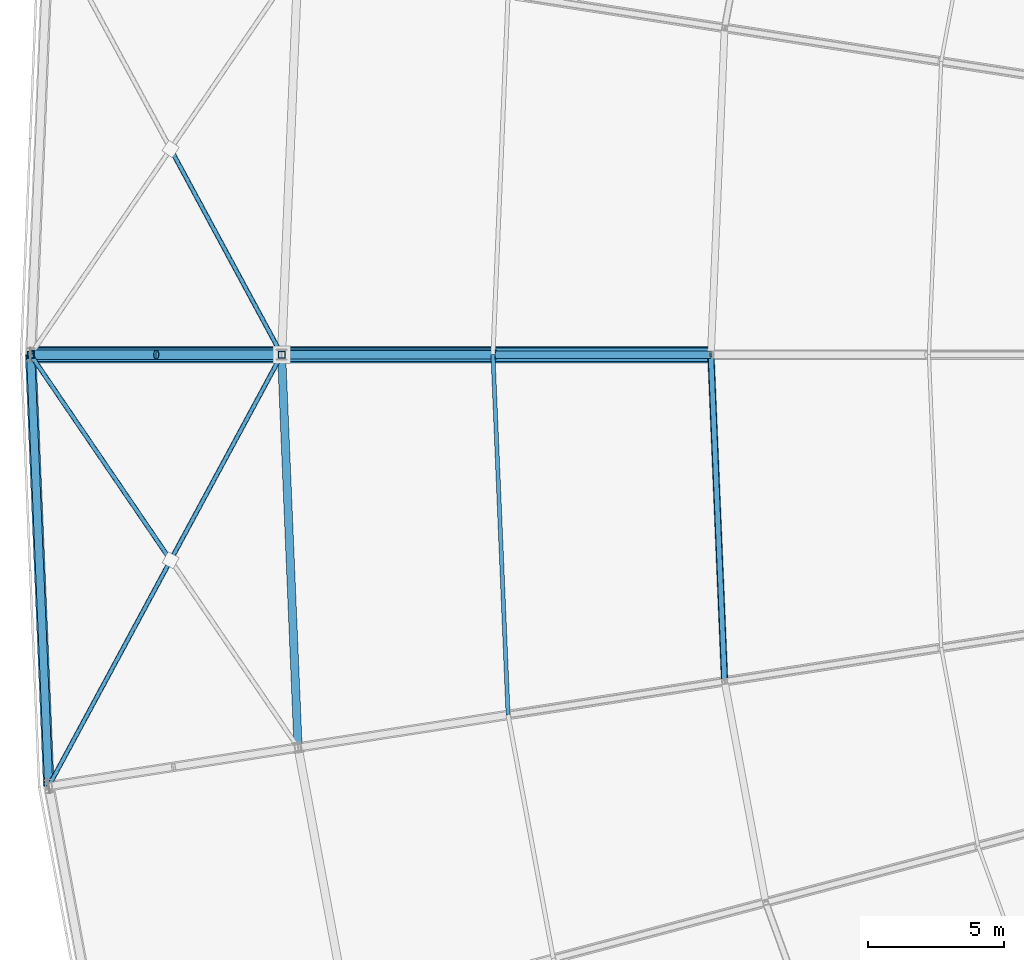
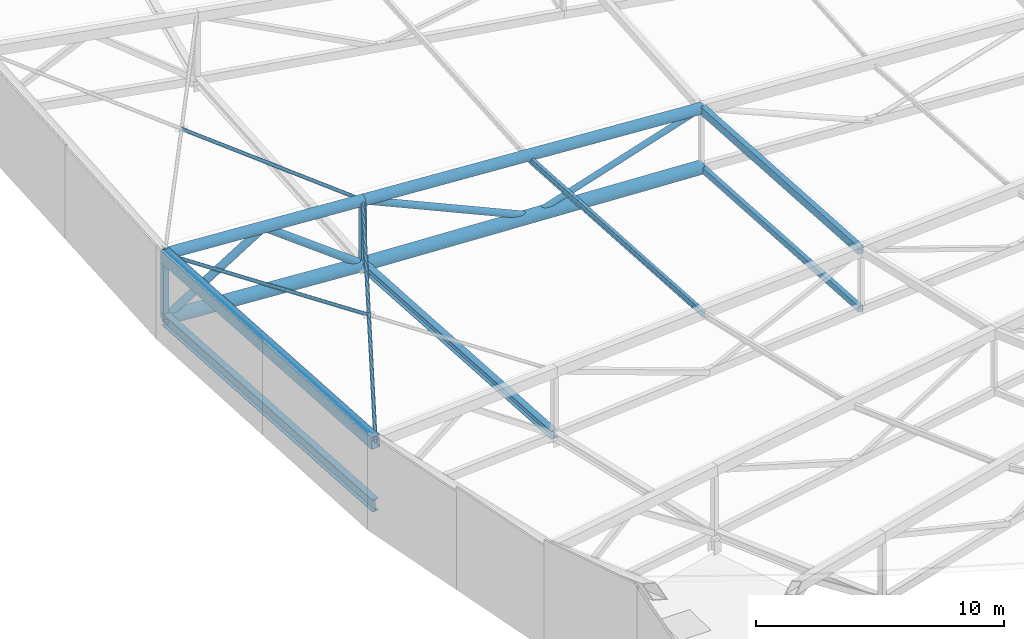
# One storey, part 39 of 143: 11 members, 8 beams.
"""IFC4 building model written with IfcOpenShell, lengths in metres."""

from ifc_helpers import new_model, si_unit, direction, frame, origin, origin_2d, place, context, subcontext, project, spatial, hollow_rectangle, hollow_circle, i_section, extrude, material, material_profile, profile_set, type_object, element, save


model = new_model("IFC4")

# Units and contexts
model_context = context("Model", 3, precision=1e-05, world=origin(), true_north=direction((0.0, 1.0)))
body_context = subcontext(model_context, "Body", "Model", "MODEL_VIEW")
ifc_project = project(units=[si_unit("LENGTHUNIT", "METRE"), si_unit("AREAUNIT", "SQUARE_METRE"), si_unit("VOLUMEUNIT", "CUBIC_METRE"), si_unit("PLANEANGLEUNIT", "RADIAN"), si_unit("MASSUNIT", "GRAM", prefix="KILO")], contexts=[model_context])

# Site, building, storey
site_placement = place(None, origin())
site = spatial("IfcSite", under=ifc_project, at=site_placement, CompositionType="ELEMENT")
building_placement = place(site_placement, origin())
building = spatial("IfcBuilding", under=site, at=building_placement, Name="Mphavela Belvedere Stadium", CompositionType="ELEMENT")
storey_placement = place(building_placement, frame((0.0, 0.0, 28.800048828125)))
storey = spatial("IfcBuildingStorey", under=building, at=storey_placement, Name="RF", CompositionType="ELEMENT", Elevation=28.800048828125)

# Beams
ifc_material_1 = material(Name="Steel S355", Category="steel")
ifc_material_profile_1 = material_profile(ifc_material_1, hollow_rectangle(XDim=0.25, YDim=0.39990234375, WallThickness=0.01611328125, at=origin_2d()), Name="RHS 400x250x16")
ifc_profile_set_1 = profile_set([ifc_material_profile_1], Name="Steel S355")
beam_type_1 = type_object("IfcBeamType", Name="BM-RING-MID", PredefinedType="BEAM", material=ifc_profile_set_1)
beam_1_placement = place(storey_placement, frame((37.157470703125, 87.0, 2.490234375), z_axis=(0.041906581182, -0.999068348561, 0.010308896972), x_axis=(0.999121439966, 0.041908808136, 0.0)))
element("IfcBeam", 1, at=beam_1_placement, inside=storey, type_object=beam_type_1, Name="Intermediate roof ring beam RB-MID-25", PredefinedType="BEAM", context=body_context, shape_type="SweptSolid", body=[
    extrude(hollow_rectangle(XDim=0.25, YDim=0.39990234375, WallThickness=0.01611328125, at=origin_2d()), origin(), (0.0, 0.0, 1.0), 12.007080078125),
])
ifc_material_2 = material(Name="Steel S355", Category="steel")
ifc_material_profile_2 = material_profile(ifc_material_2, hollow_rectangle(XDim=0.39990234375, YDim=0.60009765625, WallThickness=0.02001953125, at=origin_2d()), Name="RHS 600x400x20")
ifc_profile_set_2 = profile_set([ifc_material_profile_2], Name="Steel S355")
beam_type_2 = type_object("IfcBeamType", Name="BM-RING-OUT", PredefinedType="BEAM", material=ifc_profile_set_2)
beam_2_placement = place(storey_placement, frame((12.179931640625, 87.0, 4.005859375), z_axis=(0.04190173434, -0.999068501255, 0.010313799415), x_axis=(0.999121643181, 0.041903963155, 0.0)))
element("IfcBeam", 2, at=beam_2_placement, inside=storey, type_object=beam_type_2, Name="Perimeter compression ring beam RB-OUT-25", PredefinedType="BEAM", context=body_context, shape_type="SweptSolid", body=[
    extrude(hollow_rectangle(XDim=0.39990234375, YDim=0.60009765625, WallThickness=0.02001953125, at=origin_2d()), origin(), (0.0, 0.0, 1.0), 15.85986328125),
])
ifc_material_3 = material(Name="Steel S355", Category="steel")
ifc_material_profile_3 = material_profile(ifc_material_3, i_section(OverallWidth=0.300048828125, OverallDepth=0.39990234375, WebThickness=0.013427734375, FlangeThickness=0.02392578125, at=origin_2d()), Name="HEB 400")
ifc_profile_set_3 = profile_set([ifc_material_profile_3], Name="Steel S355")
beam_type_3 = type_object("IfcBeamType", Name="BM-STEEL-HEB400", PredefinedType="BEAM", material=ifc_profile_set_3)
beam_3_placement = place(storey_placement, frame((21.39501953125, 87.0, 0.33154296875), z_axis=(0.041901221603, -0.999068513802, 0.010314667142), x_axis=(0.99912166467, 0.041903450766, 0.0)))
element("IfcBeam", 3, at=beam_3_placement, inside=storey, type_object=beam_type_3, Name="Roof bottom-chord tie girder R3-25", PredefinedType="BEAM", context=body_context, shape_type="SweptSolid", body=[
    extrude(i_section(OverallWidth=0.300048828125, OverallDepth=0.39990234375, WebThickness=0.013427734375, FlangeThickness=0.02392578125, at=origin_2d()), origin(), (0.0, 0.0, 1.0), 14.438232421875),
])
ifc_material_4 = material(Name="Steel S355", Category="steel")
ifc_material_profile_4 = material_profile(ifc_material_4, i_section(OverallWidth=0.300048828125, OverallDepth=0.60009765625, WebThickness=0.015380859375, FlangeThickness=0.030029296875, at=origin_2d()), Name="HEB 600")
ifc_profile_set_4 = profile_set([ifc_material_profile_4], Name="Steel S355")
beam_type_4 = type_object("IfcBeamType", Name="BM-STEEL-HEB600", PredefinedType="BEAM", material=ifc_profile_set_4)
beam_4_placement = place(storey_placement, frame((12.179931640625, 87.0, 0.910888671875), z_axis=(0.04190173434, -0.999068501255, 0.010313799415), x_axis=(0.999121643181, 0.041903963155, 0.0)))
element("IfcBeam", 4, at=beam_4_placement, inside=storey, type_object=beam_type_4, Name="Roof bottom-chord tie girder R4-25", PredefinedType="BEAM", context=body_context, shape_type="SweptSolid", body=[
    extrude(i_section(OverallWidth=0.300048828125, OverallDepth=0.60009765625, WebThickness=0.015380859375, FlangeThickness=0.030029296875, at=origin_2d()), origin(), (0.0, 0.0, 1.0), 15.85986328125),
])
ifc_material_5 = material(Name="Steel S355", Category="steel")
ifc_material_profile_5 = material_profile(ifc_material_5, hollow_circle(Radius=0.304931640625, WallThickness=0.02490234375, at=origin_2d()), Name="CHS 610x25")
ifc_profile_set_5 = profile_set([ifc_material_profile_5], Name="Steel S355")
beam_type_5 = type_object("IfcBeamType", Name="BM-TRUSS-BC1", PredefinedType="BEAM", material=ifc_profile_set_5)
beam_5_placement = place(storey_placement, frame((12.179931640625, 87.0, 0.910888671875), z_axis=(0.998029567682, 0.0, -0.062745374596), x_axis=(0.0, 1.0, 0.0)))
element("IfcBeam", 5, at=beam_5_placement, inside=storey, type_object=beam_type_5, Name="Radial roof truss RT-25 bottom chord 1", PredefinedType="BEAM", context=body_context, shape_type="SweptSolid", body=[
    extrude(hollow_circle(Radius=0.304931640625, WallThickness=0.02490234375, at=origin_2d()), origin(), (0.0, 0.0, 1.0), 9.2333984375),
])
beam_6_placement = place(storey_placement, frame((21.39501953125, 87.0, 0.33154296875), z_axis=(0.998896209592, 0.0, -0.046971932722), x_axis=(0.0, 1.0, 0.0)))
element("IfcBeam", 6, at=beam_6_placement, inside=storey, type_object=beam_type_5, Name="Radial roof truss RT-25 bottom chord 2", PredefinedType="BEAM", context=body_context, shape_type="SweptSolid", body=[
    extrude(hollow_circle(Radius=0.304931640625, WallThickness=0.02490234375, at=origin_2d()), origin(), (0.0, 0.0, 1.0), 15.77978515625),
])
ifc_material_6 = material(Name="Steel S355", Category="steel")
ifc_material_profile_6 = material_profile(ifc_material_6, hollow_circle(Radius=0.25390625, WallThickness=0.02490234375, at=origin_2d()), Name="CHS 508x25")
ifc_profile_set_6 = profile_set([ifc_material_profile_6], Name="Steel S355")
beam_type_6 = type_object("IfcBeamType", Name="BM-TRUSS-TC1", PredefinedType="BEAM", material=ifc_profile_set_6)
beam_7_placement = place(storey_placement, frame((12.179931640625, 87.0, 4.06103515625), z_axis=(0.998027911532, 0.0, -0.062771711802), x_axis=(0.0, 1.0, 0.0)))
element("IfcBeam", 7, at=beam_7_placement, inside=storey, type_object=beam_type_6, Name="Radial roof truss RT-25 top chord 1", PredefinedType="BEAM", context=body_context, shape_type="SweptSolid", body=[
    extrude(hollow_circle(Radius=0.25390625, WallThickness=0.02490234375, at=origin_2d()), origin(), (0.0, 0.0, 1.0), 9.2333984375),
])
beam_8_placement = place(storey_placement, frame((21.39501953125, 87.0, 3.4814453125), z_axis=(0.998028626324, 0.0, -0.062760346063), x_axis=(0.0, 1.0, 0.0)))
element("IfcBeam", 8, at=beam_8_placement, inside=storey, type_object=beam_type_6, Name="Radial roof truss RT-25 top chord 2", PredefinedType="BEAM", context=body_context, shape_type="SweptSolid", body=[
    extrude(hollow_circle(Radius=0.25390625, WallThickness=0.02490234375, at=origin_2d()), origin(), (0.0, 0.0, 1.0), 15.793701171875),
])

# Members
ifc_material_7 = material(Name="Steel S355", Category="steel")
ifc_material_profile_7 = material_profile(ifc_material_7, hollow_circle(Radius=0.136474609375, WallThickness=0.012451171875, at=origin_2d()), Name="CHS 273x12.5")
ifc_profile_set_7 = profile_set([ifc_material_profile_7], Name="Steel S355")
member_type_1 = type_object("IfcMemberType", Name="MEM-DIAG-273", PredefinedType="BRACE", material=ifc_profile_set_7)
member_1_placement = place(storey_placement, frame((29.276123046875, 87.0, -0.0390625), z_axis=(0.952169015599, 0.0, 0.305571866725), x_axis=(0.0, 1.0, 0.0)))
element("IfcMember", 9, at=member_1_placement, inside=storey, type_object=member_type_1, Name="Radial roof truss RT-25 web diagonal D4", PredefinedType="BRACE", context=body_context, shape_type="SweptSolid", body=[
    extrude(hollow_circle(Radius=0.136474609375, WallThickness=0.012451171875, at=origin_2d()), origin(), (0.0, 0.0, 1.0), 8.27734375),
])
ifc_material_8 = material(Name="Steel S355", Category="steel")
ifc_material_profile_8 = material_profile(ifc_material_8, hollow_circle(Radius=0.161865234375, WallThickness=0.01611328125, at=origin_2d()), Name="CHS 323.9x16")
ifc_profile_set_8 = profile_set([ifc_material_profile_8], Name="Steel S355")
member_type_2 = type_object("IfcMemberType", Name="MEM-DIAG-324", PredefinedType="BRACE", material=ifc_profile_set_8)
member_2_placement = place(storey_placement, frame((21.39501953125, 87.0, 3.4814453125), z_axis=(0.913044793514, 0.0, -0.407859295637), x_axis=(0.0, 1.0, 0.0)))
element("IfcMember", 10, at=member_2_placement, inside=storey, type_object=member_type_2, Name="Radial roof truss RT-25 web diagonal D3", PredefinedType="BRACE", context=body_context, shape_type="SweptSolid", body=[
    extrude(hollow_circle(Radius=0.161865234375, WallThickness=0.01611328125, at=origin_2d()), origin(), (0.0, 0.0, 1.0), 8.631591796875),
])
ifc_material_9 = material(Name="Steel S355", Category="steel")
ifc_material_profile_9 = material_profile(ifc_material_9, hollow_circle(Radius=0.177734375, WallThickness=0.01611328125, at=origin_2d()), Name="CHS 355.6x16")
ifc_profile_set_9 = profile_set([ifc_material_profile_9], Name="Steel S355")
member_type_3 = type_object("IfcMemberType", Name="MEM-DIAG-355", PredefinedType="BRACE", material=ifc_profile_set_9)
member_3_placement = place(storey_placement, frame((12.179931640625, 87.0, 0.910888671875), z_axis=(0.849605387288, 0.0, 0.527418890344), x_axis=(0.0, 1.0, 0.0)))
element("IfcMember", 11, at=member_3_placement, inside=storey, type_object=member_type_3, Name="Radial roof truss RT-25 web diagonal D1", PredefinedType="BRACE", context=body_context, shape_type="SweptSolid", body=[
    extrude(hollow_circle(Radius=0.177734375, WallThickness=0.01611328125, at=origin_2d()), origin(), (0.0, 0.0, 1.0), 5.42333984375),
])
member_4_placement = place(storey_placement, frame((16.78759765625, 87.0, 3.771240234375), z_axis=(0.801322831228, 0.0, -0.598232162419), x_axis=(0.0, 1.0, 0.0)))
element("IfcMember", 12, at=member_4_placement, inside=storey, type_object=member_type_3, Name="Radial roof truss RT-25 web diagonal D2", PredefinedType="BRACE", context=body_context, shape_type="SweptSolid", body=[
    extrude(hollow_circle(Radius=0.177734375, WallThickness=0.01611328125, at=origin_2d()), origin(), (0.0, 0.0, 1.0), 5.749755859375),
])
ifc_material_10 = material(Name="Steel S355", Category="steel")
ifc_material_profile_10 = material_profile(ifc_material_10, hollow_rectangle(XDim=0.25, YDim=0.25, WallThickness=0.012451171875, at=origin_2d()), Name="SHS 250x250x12.5")
ifc_profile_set_10 = profile_set([ifc_material_profile_10], Name="Steel S355")
member_type_4 = type_object("IfcMemberType", Name="MEM-POST-SHS250", PredefinedType="POST", material=ifc_profile_set_10)
member_5_placement = place(storey_placement, frame((12.179931640625, 87.0, 0.910888671875), z_axis=(0.0, 0.0, 1.0), x_axis=(-1.0, 0.0, 0.0)))
element("IfcMember", 13, at=member_5_placement, inside=storey, type_object=member_type_4, Name="Radial roof truss RT-25 post P1", PredefinedType="POST", context=body_context, shape_type="SweptSolid", body=[
    extrude(hollow_rectangle(XDim=0.25, YDim=0.25, WallThickness=0.012451171875, at=origin_2d()), origin(), (0.0, 0.0, 1.0), 3.150146484375),
])
member_6_placement = place(storey_placement, frame((21.39501953125, 87.0, 0.33154296875), z_axis=(0.0, 0.0, 1.0), x_axis=(-1.0, 0.0, 0.0)))
element("IfcMember", 14, at=member_6_placement, inside=storey, type_object=member_type_4, Name="Radial roof truss RT-25 post P2", PredefinedType="POST", context=body_context, shape_type="SweptSolid", body=[
    extrude(hollow_rectangle(XDim=0.25, YDim=0.25, WallThickness=0.012451171875, at=origin_2d()), origin(), (0.0, 0.0, 1.0), 3.14990234375),
])
ifc_material_11 = material(Name="Steel S355", Category="steel")
ifc_material_profile_11 = material_profile(ifc_material_11, i_section(OverallWidth=0.14990234375, OverallDepth=0.300048828125, WebThickness=0.007080078125, FlangeThickness=0.0107421875, at=origin_2d()), Name="IPE 300")
ifc_profile_set_11 = profile_set([ifc_material_profile_11], Name="Steel S355")
member_type_5 = type_object("IfcMemberType", Name="MEM-PURLIN-IPE300", PredefinedType="PURLIN", material=ifc_profile_set_11)
member_7_placement = place(storey_placement, frame((29.155029296875, 87.0, 2.803466796875), z_axis=(0.041909020321, -0.999068268854, 0.010306705833), x_axis=(0.999121337686, 0.041911246458, 0.0)))
element("IfcMember", 15, at=member_7_placement, inside=storey, type_object=member_type_5, Name="Saddle canopy steel purlin 25-2", PredefinedType="PURLIN", context=body_context, shape_type="SweptSolid", body=[
    extrude(i_section(OverallWidth=0.14990234375, OverallDepth=0.300048828125, WebThickness=0.007080078125, FlangeThickness=0.0107421875, at=origin_2d()), origin(), (0.0, 0.0, 1.0), 13.241455078125),
])
ifc_material_12 = material(Name="Steel S355", Category="steel")
ifc_material_profile_12 = material_profile(ifc_material_12, hollow_circle(Radius=0.084228515625, WallThickness=0.010009765625, at=origin_2d()), Name="CHS 168.3x10")
ifc_profile_set_12 = profile_set([ifc_material_profile_12], Name="Steel S355")
member_type_6 = type_object("IfcMemberType", Name="MEM-ROOF-XBRACE", PredefinedType="BRACE", material=ifc_profile_set_12)
member_8_placement = place(storey_placement, frame((17.3203125, 94.55078125, 3.83544921875), z_axis=(0.474500220877, -0.879289564487, -0.041223805888), x_axis=(0.880037651395, 0.474903918837, 0.0)))
element("IfcMember", 16, at=member_8_placement, inside=storey, type_object=member_type_6, Name="Roof diaphragm split X-brace B2 24", PredefinedType="BRACE", context=body_context, shape_type="SweptSolid", body=[
    extrude(hollow_circle(Radius=0.084228515625, WallThickness=0.010009765625, at=origin_2d()), origin(), (0.0, 0.0, 1.0), 8.58740234375),
])
member_9_placement = place(storey_placement, frame((21.39501953125, 87.0, 3.4814453125), z_axis=(-0.474497737922, -0.87929011475, 0.041240645126), x_axis=(0.880038814194, -0.474901764064, 0.0)))
element("IfcMember", 17, at=member_9_placement, inside=storey, type_object=member_type_6, Name="Roof diaphragm continuous X-brace A 25", PredefinedType="BRACE", context=body_context, shape_type="SweptSolid", body=[
    extrude(hollow_circle(Radius=0.084228515625, WallThickness=0.010009765625, at=origin_2d()), origin(), (0.0, 0.0, 1.0), 18.020263671875),
])
member_10_placement = place(storey_placement, frame((12.179931640625, 87.0, 4.06103515625), z_axis=(0.5625763144, -0.826376644587, -0.024688696961), x_axis=(0.826628611183, 0.562747846885, 0.0)))
element("IfcMember", 18, at=member_10_placement, inside=storey, type_object=member_type_6, Name="Roof diaphragm split X-brace B1 25", PredefinedType="BRACE", context=body_context, shape_type="SweptSolid", body=[
    extrude(hollow_circle(Radius=0.084228515625, WallThickness=0.010009765625, at=origin_2d()), origin(), (0.0, 0.0, 1.0), 9.13720703125),
])
ifc_material_13 = material(Name="Steel S355", Category="steel")
ifc_material_profile_13 = material_profile(ifc_material_13, hollow_rectangle(XDim=0.199951171875, YDim=0.300048828125, WallThickness=0.011962890625, at=origin_2d()), Name="RHS 300x200x12")
ifc_profile_set_13 = profile_set([ifc_material_profile_13], Name="Steel S355")
member_type_7 = type_object("IfcMemberType", Name="MEM-SEC-CHORD", PredefinedType="CHORD", material=ifc_profile_set_13)
member_11_placement = place(storey_placement, frame((37.157470703125, 87.0, -0.40966796875), z_axis=(0.041906581182, -0.999068348561, 0.010308896972), x_axis=(0.999121439966, 0.041908808136, 0.0)))
element("IfcMember", 19, at=member_11_placement, inside=storey, type_object=member_type_7, Name="Secondary bottom roof tie chord 25", PredefinedType="CHORD", context=body_context, shape_type="SweptSolid", body=[
    extrude(hollow_rectangle(XDim=0.199951171875, YDim=0.300048828125, WallThickness=0.011962890625, at=origin_2d()), origin(), (0.0, 0.0, 1.0), 12.007080078125),
])

save(model, "model.ifc")
